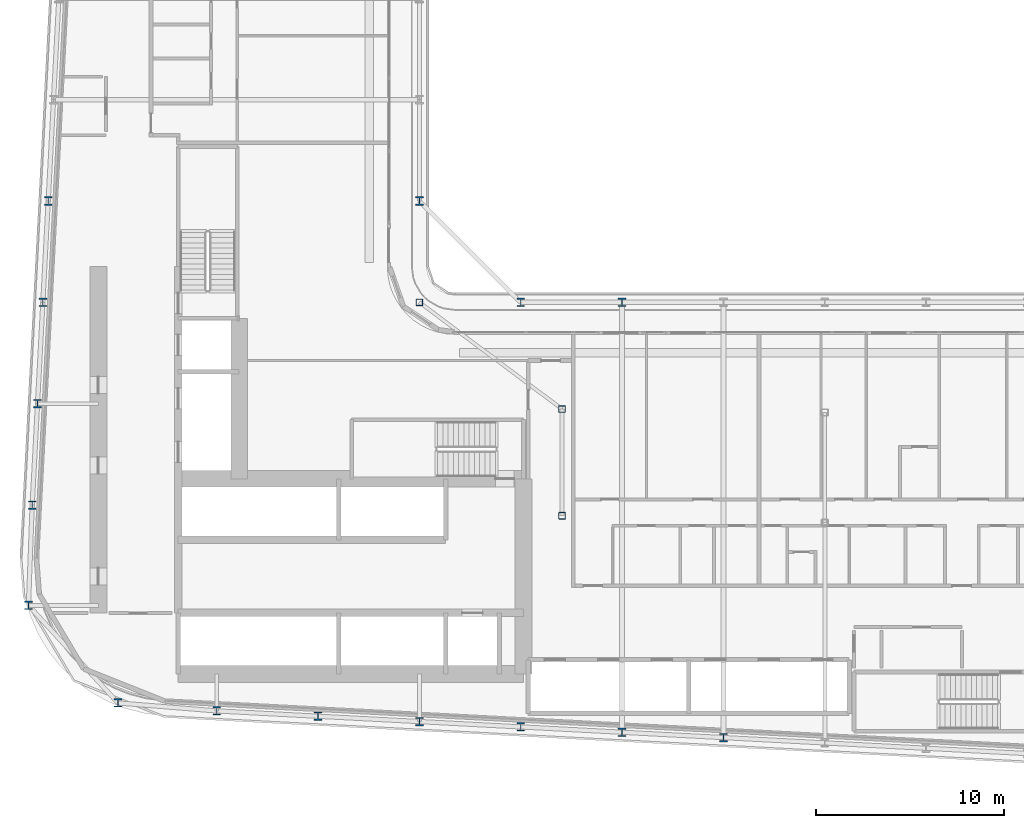
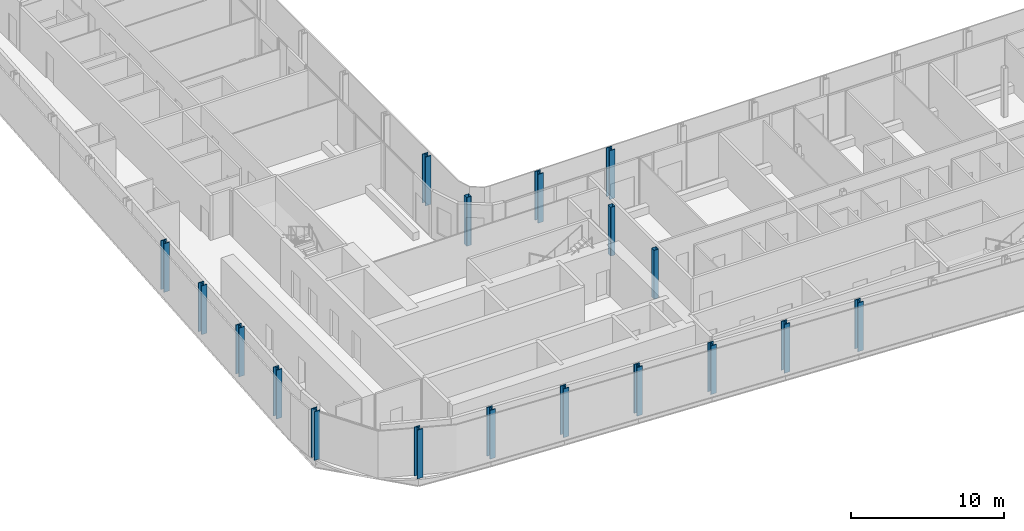
# One storey, part 1 of 28: 18 columns.
"""IFC4 building model written with IfcOpenShell, lengths in metres."""

import ifcopenshell
import ifcopenshell.guid

model = None  # the IFC model being written
_history = None  # IfcOwnerHistory: only IFC2X3 demands one
_inside = {}  # id of a spatial element -> (the spatial element, [elements in it])
_under = {}  # id of a project, library or spatial element -> (it, [spatial elements below it])
_declared = {}  # id of a project -> (the project, [libraries it declares])
_typed = {}  # id of a type object -> (the type object, [elements of that type])
_made_of = {}  # id of a material, layer set ... -> (it, [elements and type objects made of it])


def new_model(schema):
    """Start an empty IFC model of exactly this schema.

    Asked for "IFC4X3", IfcOpenShell would pick the latest addendum, in which some entities
    have other attributes; the version numbers below select the first issue.
    IFC2X3 requires an IfcOwnerHistory on every rooted entity: one is made here for all.
    """
    global model, _history
    if schema == "IFC4X3":
        model = ifcopenshell.file(schema_version=(4, 3, 0, 0))
    else:
        model = ifcopenshell.file(schema=schema)
    _inside.clear()
    _under.clear()
    _declared.clear()
    _typed.clear()
    _made_of.clear()
    _history = None
    if model.schema == "IFC2X3":
        org = make("IfcOrganization", Name="unknown")
        user = make(
            "IfcPersonAndOrganization",
            ThePerson=make("IfcPerson", FamilyName="unknown"),
            TheOrganization=org,
        )
        app = make(
            "IfcApplication",
            ApplicationDeveloper=org,
            Version="unknown",
            ApplicationFullName="unknown",
            ApplicationIdentifier="unknown",
        )
        _history = make(
            "IfcOwnerHistory",
            OwningUser=user,
            OwningApplication=app,
            ChangeAction="ADDED",
            CreationDate=0,
        )
    return model


def make(cls, **values):
    """One entity of the class cls with the attributes given. An attribute that is None is left unset."""
    return model.create_entity(
        cls, **{name: value for name, value in values.items() if value is not None}
    )


def rooted(cls, **values):
    """An entity with a GlobalId (a new one), such as an element, a storey or a relation."""
    return make(cls, GlobalId=ifcopenshell.guid.new(), OwnerHistory=_history, **values)


def si_unit(unit_type, name, prefix=None):
    """IfcSIUnit, for example si_unit("LENGTHUNIT", "METRE", prefix="MILLI")."""
    return make("IfcSIUnit", UnitType=unit_type, Prefix=prefix, Name=name)


def assignment(units):
    """IfcUnitAssignment: the units of a project."""
    return None if units is None else make("IfcUnitAssignment", Units=units)


def point(xyz):
    """IfcCartesianPoint."""
    return None if xyz is None else make("IfcCartesianPoint", Coordinates=xyz)


def direction(xyz):
    """IfcDirection."""
    return None if xyz is None else make("IfcDirection", DirectionRatios=xyz)


def frame(location, z_axis=None, x_axis=None):
    """IfcAxis2Placement3D, a coordinate frame: its origin and axes. An axis left out is left unset."""
    return make(
        "IfcAxis2Placement3D",
        Location=point(location),
        Axis=direction(z_axis),
        RefDirection=direction(x_axis),
    )


def frame_2d(location, x_axis=None):
    """IfcAxis2Placement2D, a coordinate frame in the plane: its origin and x axis."""
    return make(
        "IfcAxis2Placement2D", Location=point(location), RefDirection=direction(x_axis)
    )


def origin():
    """The frame at (0, 0, 0) with its axes left unset."""
    return frame((0.0, 0.0, 0.0))


def origin_2d():
    """The frame at (0, 0) in the plane with its x axis left unset."""
    return frame_2d((0.0, 0.0))


def place(relative_to, where):
    """IfcLocalPlacement: puts the frame where relative to a parent placement (None: the world)."""
    return make(
        "IfcLocalPlacement", PlacementRelTo=relative_to, RelativePlacement=where
    )


def context(
    kind, dimensions, precision=None, world=None, true_north=None, identifier=None
):
    """IfcGeometricRepresentationContext, for example the 3D "Model" context."""
    return make(
        "IfcGeometricRepresentationContext",
        ContextIdentifier=identifier,
        ContextType=kind,
        CoordinateSpaceDimension=dimensions,
        Precision=precision,
        WorldCoordinateSystem=world,
        TrueNorth=true_north,
    )


def subcontext(parent, identifier, kind, view, scale=None):
    """IfcGeometricRepresentationSubContext, for example "Body" below "Model"."""
    return make(
        "IfcGeometricRepresentationSubContext",
        ContextIdentifier=identifier,
        ContextType=kind,
        ParentContext=parent,
        TargetScale=scale,
        TargetView=view,
    )


def project(units=None, contexts=None):
    """IfcProject with its units and contexts."""
    return rooted(
        "IfcProject",
        Name="project",
        RepresentationContexts=contexts,
        UnitsInContext=assignment(units),
    )


def spatial(cls, under=None, at=None, **own):
    """A site, building, storey or space (cls), placed at a placement, below another one or the project."""
    s = rooted(cls, ObjectPlacement=at, **own)
    if under is not None:
        _under.setdefault(under.id(), (under, []))[1].append(s)
    return s


def profile(cls, at=None, kind="AREA", **sizes):
    """A parametric profile (cls). Its sizes go by their IFC names, for example OverallWidth=200.0."""
    return make(cls, ProfileType=kind, Position=at, **sizes)


def hollow_rectangle(**sizes):
    """IfcRectangleHollowProfileDef."""
    return profile("IfcRectangleHollowProfileDef", **sizes)


def i_section(**sizes):
    """IfcIShapeProfileDef."""
    return profile("IfcIShapeProfileDef", **sizes)


def extrude(swept, where, along, depth):
    """IfcExtrudedAreaSolid: the profile swept, set in the frame where, extruded along a direction by depth."""
    return make(
        "IfcExtrudedAreaSolid",
        SweptArea=swept,
        Position=where,
        ExtrudedDirection=direction(along),
        Depth=depth,
    )


def shape(context_of_items, identifier, shape_type, items):
    """IfcShapeRepresentation: the items that make up one representation, for example the "Body"."""
    return make(
        "IfcShapeRepresentation",
        ContextOfItems=context_of_items,
        RepresentationIdentifier=identifier,
        RepresentationType=shape_type,
        Items=items,
    )


def material(Name=None, Category=None):
    """IfcMaterial."""
    return make("IfcMaterial", Name=Name, Category=Category)


def material_profile(
    of_material, cross_section, Name=None, Category=None, Priority=None
):
    """IfcMaterialProfile: a cross section and its material."""
    return make(
        "IfcMaterialProfile",
        Name=Name,
        Material=of_material,
        Profile=cross_section,
        Priority=Priority,
        Category=Category,
    )


def profile_set(profiles, Name=None, composite=None):
    """IfcMaterialProfileSet."""
    return make(
        "IfcMaterialProfileSet",
        Name=Name,
        MaterialProfiles=profiles,
        CompositeProfile=composite,
    )


def made_of(thing, what):
    """Note that an element or type object is made of a material, layer set ...; save() writes the relation."""
    if what is not None:
        _made_of.setdefault(what.id(), (what, []))[1].append(thing)
    return thing


def type_object(cls, material=None, **own):
    """A type object (cls), such as IfcWallType, which elements share."""
    return made_of(rooted(cls, **own), material)


def element(
    cls,
    number,
    at=None,
    inside=None,
    cuts=None,
    type_object=None,
    material=None,
    context=None,
    identifier="Body",
    shape_type=None,
    held_by="IfcProductDefinitionShape",
    body=None,
    shapes=None,
    **own,
):
    """One element of the class cls, such as IfcWall. Its Tag is "e" and its number.

    at: its placement. inside: the storey or other place that contains it. cuts: it is an
    opening in that element (IfcRelVoidsElement). A single representation is given by context,
    identifier, shape_type and body (its items); several are given by shapes. held_by: the class
    of the entity that holds the representations. save() writes the other relations.
    """
    e = rooted(cls, Tag="e%d" % number, ObjectPlacement=at, **own)
    if body is not None:
        shapes = [shape(context, identifier, shape_type, body)]
    if shapes is not None:
        e.Representation = make(held_by, Representations=shapes)
    if inside is not None:
        _inside.setdefault(inside.id(), (inside, []))[1].append(e)
    if cuts is not None:
        rooted(
            "IfcRelVoidsElement", RelatingBuildingElement=cuts, RelatedOpeningElement=e
        )
    if type_object is not None:
        _typed.setdefault(type_object.id(), (type_object, []))[1].append(e)
    return made_of(e, material)


def aggregate(whole, parts):
    """IfcRelAggregates: a whole, such as a stair, and the parts it consists of."""
    return rooted("IfcRelAggregates", RelatingObject=whole, RelatedObjects=parts)


def save(model, path):
    """Write the relations noted so far, then the file.

    IfcRelAggregates (storeys below a building ...), IfcRelContainedInSpatialStructure (elements
    in a storey), IfcRelDefinesByType, IfcRelAssociatesMaterial and IfcRelDeclares: one each for
    every whole, place, type object, material and project.
    """
    for whole, parts in _under.values():
        aggregate(whole, parts)
    for where, things in _inside.values():
        rooted(
            "IfcRelContainedInSpatialStructure",
            RelatedElements=things,
            RelatingStructure=where,
        )
    for kind, things in _typed.values():
        rooted("IfcRelDefinesByType", RelatedObjects=things, RelatingType=kind)
    for what, things in _made_of.values():
        rooted("IfcRelAssociatesMaterial", RelatedObjects=things, RelatingMaterial=what)
    for by, libraries in _declared.values():
        rooted("IfcRelDeclares", RelatingContext=by, RelatedDefinitions=libraries)
    model.write(path)


model = new_model("IFC4")

# Units and contexts
model_context = context("Model", 3, precision=1e-05, world=origin(), true_north=direction((0.0, 1.0)))
body_context = subcontext(model_context, "Body", "Model", "MODEL_VIEW")
ifc_project = project(units=[si_unit("LENGTHUNIT", "METRE"), si_unit("AREAUNIT", "SQUARE_METRE"), si_unit("VOLUMEUNIT", "CUBIC_METRE"), si_unit("PLANEANGLEUNIT", "RADIAN"), si_unit("MASSUNIT", "GRAM", prefix="KILO")], contexts=[model_context])

# Site, building, storey
site_placement = place(None, origin())
site = spatial("IfcSite", under=ifc_project, at=site_placement, CompositionType="ELEMENT")
building_placement = place(site_placement, origin())
building = spatial("IfcBuilding", under=site, at=building_placement, Name="Kheshtan School and Residences Tower", CompositionType="ELEMENT")
storey_placement = place(building_placement, frame((0.0, 0.0, 129.199951171875)))
storey = spatial("IfcBuildingStorey", under=building, at=storey_placement, Name="L30", CompositionType="ELEMENT", Elevation=129.199951171875)

# Columns
ifc_material_1 = material(Name="Steel ASTM A992 Grade 50", Category="steel")
ifc_material_profile_1 = material_profile(ifc_material_1, i_section(OverallWidth=0.41796875, OverallDepth=0.455078125, WebThickness=0.042236328125, FlangeThickness=0.067626953125, FilletRadius=0.013671875, at=origin_2d()), Name="W360x551")
ifc_profile_set_1 = profile_set([ifc_material_profile_1], Name="Steel ASTM A992 Grade 50")
column_type_1 = type_object("IfcColumnType", Name="Column C2 W360x551 ASTM A992 Grade 50", PredefinedType="COLUMN", material=ifc_profile_set_1)
for number, where, z_axis, x_axis, name in (
    (1, (63.800048828125, 22.410888671875, 0.0), (0.0, 0.0, 1.0), (1.0, 0.0, 0.0), "Column C016"),
    (2, (58.39990234375, 22.695068359375, 0.0), (0.0, 0.0, 1.0), (1.0, 0.0, 0.0), "Column C018"),
    (3, (53.0, 22.97998046875, 0.0), (0.0, 0.0, 1.0), (1.0, 0.0, 0.0), "Column C019"),
    (4, (47.60009765625, 23.263916015625, 0.0), (0.0, 0.0, 1.0), (1.0, 0.0, 0.0), "Column C020"),
    (5, (42.199951171875, 23.548095703125, 0.0), (0.0, 0.0, 1.0), (1.0, 0.0, 0.0), "Column C021"),
    (6, (36.800048828125, 23.83203125, 0.0), (0.0, 0.0, 1.0), (1.0, 0.0, 0.0), "Column C022"),
    (7, (31.5419921875, 24.257080078125, 0.0), (0.0, 0.0, 1.0), (1.0, 0.0, 0.0), "Column C025"),
    (8, (26.76904296875, 29.4541015625, 0.0), (0.0, 0.0, 1.0), (1.0, 0.0, 0.0), "Column C038"),
    (9, (26.968994140625, 34.800048828125, 0.0), (0.0, 0.0, 1.0), (1.0, 0.0, 0.0), "Column C052"),
    (10, (27.2529296875, 40.199951171875, 0.0), (0.0, 0.0, 1.0), (1.0, 0.0, 0.0), "Column C056"),
    (11, (27.537109375, 45.60009765625, 0.0), (0.0, 0.0, 1.0), (1.0, 0.0, 0.0), "Column C059"),
    (12, (53.0, 45.60009765625, 0.0), (0.0, 0.0, 1.0), (1.0, 0.0, 0.0), "Column C061"),
    (13, (58.39990234375, 45.60009765625, 0.0), (0.0, 0.0, 1.0), (1.0, 0.0, 0.0), "Column C062"),
    (14, (27.822021484375, 51.0, 0.0), (0.0, 0.0, 1.0), (1.0, 0.0, 0.0), "Column C078"),
    (15, (47.60009765625, 51.0, 0.0), (0.0, 0.0, 1.0), (1.0, 0.0, 0.0), "Column C079"),
):
    element("IfcColumn", number, at=place(storey_placement, frame(where, z_axis=z_axis, x_axis=x_axis)), inside=storey, type_object=column_type_1, Name=name, PredefinedType="COLUMN", context=body_context, shape_type="SweptSolid", body=[
        extrude(i_section(OverallWidth=0.41796875, OverallDepth=0.455078125, WebThickness=0.042236328125, FlangeThickness=0.067626953125, FilletRadius=0.013671875, at=origin_2d()), origin(), (0.0, 0.0, 1.0), 3.900146484375),
    ])
ifc_material_2 = material(Name="Steel ASTM A500 Grade C", Category="steel")
ifc_material_profile_2 = material_profile(ifc_material_2, hollow_rectangle(XDim=0.35595703125, YDim=0.35595703125, WallThickness=0.015869140625, InnerFilletRadius=0.015869140625, OuterFilletRadius=0.03173828125, at=origin_2d()), Name="HSS 356x356x15.9")
ifc_profile_set_2 = profile_set([ifc_material_profile_2], Name="Steel ASTM A500 Grade C")
column_type_2 = type_object("IfcColumnType", Name="Column IC1 HSS 356x356x15.9 ASTM A500 Grade C", PredefinedType="COLUMN", material=ifc_profile_set_2)
for number, where, z_axis, x_axis, name in (
    (16, (55.199951171875, 34.23193359375, 0.0), (0.0, 0.0, 1.0), (1.0, 0.0, 0.0), "Column C051"),
    (17, (55.199951171875, 39.916015625, 0.0), (0.0, 0.0, 1.0), (1.0, 0.0, 0.0), "Column C055"),
    (18, (47.60009765625, 45.60009765625, 0.0), (0.0, 0.0, 1.0), (1.0, 0.0, 0.0), "Column C060"),
):
    element("IfcColumn", number, at=place(storey_placement, frame(where, z_axis=z_axis, x_axis=x_axis)), inside=storey, type_object=column_type_2, Name=name, PredefinedType="COLUMN", context=body_context, shape_type="SweptSolid", body=[
        extrude(hollow_rectangle(XDim=0.35595703125, YDim=0.35595703125, WallThickness=0.015869140625, InnerFilletRadius=0.015869140625, OuterFilletRadius=0.03173828125, at=origin_2d()), origin(), (0.0, 0.0, 1.0), 3.900146484375),
    ])

save(model, "model.ifc")
